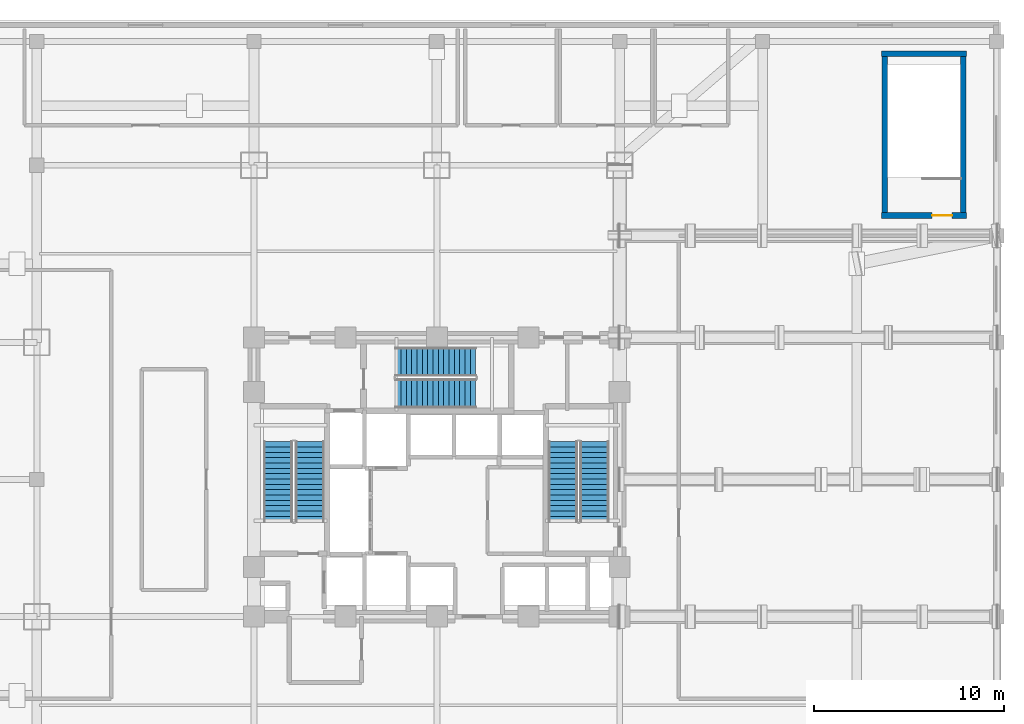
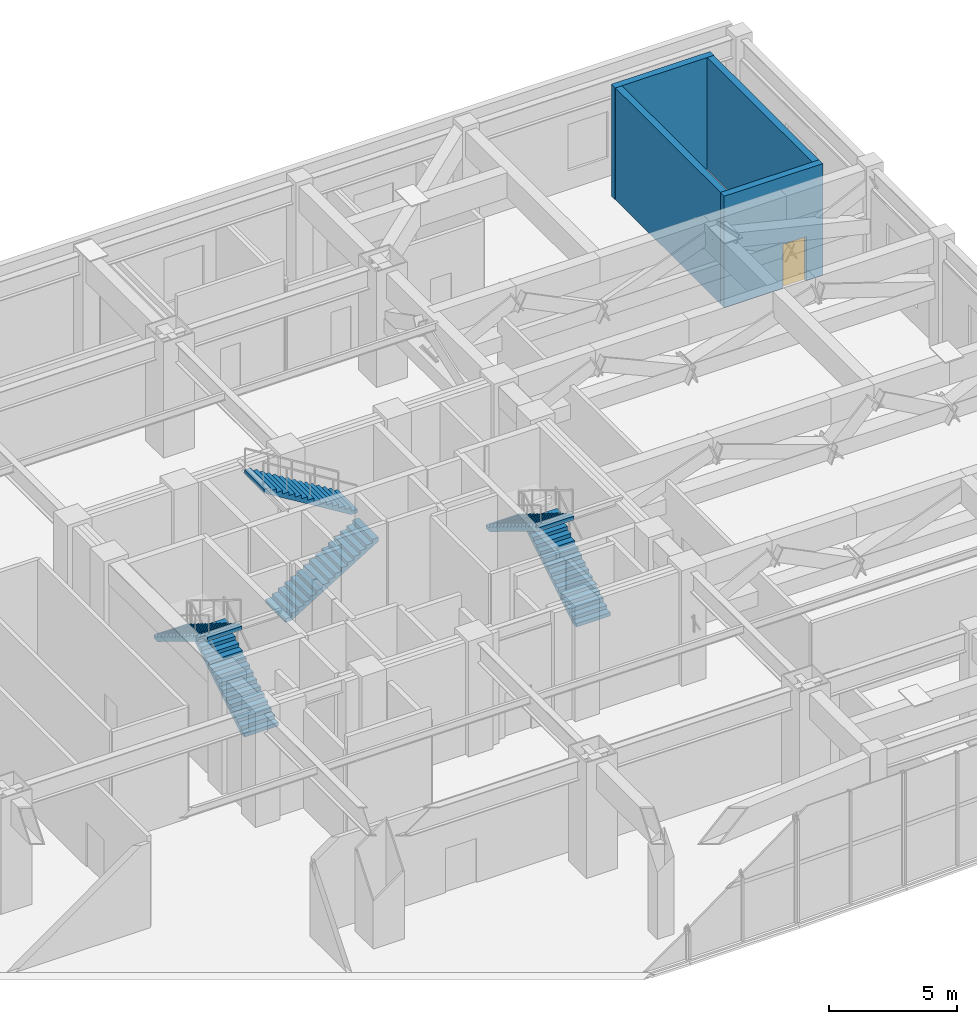
# One storey, part 15 of 19: 6 stair flights, 4 walls, 1 door, 1 opening, 3 elements without a shape of their own.
"""IFC4 building model written with IfcOpenShell, lengths in metres."""

from ifc_helpers import new_model, si_unit, direction, frame, frame_2d, origin, place, context, subcontext, project, spatial, polyline, rectangle, outline, extrude, material, layer, layer_set, type_object, element, fill, aggregate, save


model = new_model("IFC4")

# Units and contexts
model_context = context("Model", 3, precision=1e-05, world=origin(), true_north=direction((0.0, 1.0)))
body_context = subcontext(model_context, "Body", "Model", "MODEL_VIEW")
ifc_project = project(units=[si_unit("LENGTHUNIT", "METRE"), si_unit("AREAUNIT", "SQUARE_METRE"), si_unit("VOLUMEUNIT", "CUBIC_METRE"), si_unit("PLANEANGLEUNIT", "RADIAN"), si_unit("MASSUNIT", "GRAM", prefix="KILO")], contexts=[model_context])

# Site, building, storey
site_placement = place(None, origin())
site = spatial("IfcSite", under=ifc_project, at=site_placement, CompositionType="ELEMENT")
building_placement = place(site_placement, origin())
building = spatial("IfcBuilding", under=site, at=building_placement, Name="Vantalir Tower", CompositionType="ELEMENT")
storey_placement = place(building_placement, frame((0.0, 0.0, 21.5)))
storey = spatial("IfcBuildingStorey", under=building, at=storey_placement, Name="L04", CompositionType="ELEMENT", Elevation=21.5)

# Wall, opening, door
ifc_material_1 = material(Name="Concrete C50/60", Category="concrete")
ifc_layer = layer(ifc_material_1, 0.300048828125)
ifc_layer_set = layer_set([ifc_layer], Name="Concrete C50/60")
wall_type = type_object("IfcWallType", Name="WL-STAIR-300", PredefinedType="SHEAR", material=ifc_layer_set)
wall_1_placement = place(storey_placement, frame((54.85009765625, 38.860107421875, 0.0), z_axis=(0.0, 0.0, 1.0), x_axis=(1.0, 0.0, 0.0)))
wall_1 = element("IfcWall", 1, at=wall_1_placement, inside=storey, type_object=wall_type, Name="L04 PST2 South Wall", PredefinedType="SHEAR", context=body_context, shape_type="SweptSolid", body=[
    extrude(rectangle(XDim=4.449951171875, YDim=0.300048828125, at=frame_2d((2.22509765625, 0.0))), origin(), (0.0, 0.0, 1.0), 5.320068359375),
])
opening_placement = place(wall_1_placement, frame((2.64990234375, 0.0, 0.0)))
opening = element("IfcOpeningElement", 2, at=opening_placement, cuts=wall_1, Name="Opening D-ST", PredefinedType="OPENING", context=body_context, shape_type="SweptSolid", body=[
    extrude(rectangle(XDim=1.050048828125, YDim=2.10009765625, at=frame_2d((0.52490234375, 1.050048828125))), frame((0.0, 0.159912109375, 0.0), z_axis=(0.0, -1.0, 0.0), x_axis=(1.0, 0.0, 0.0)), (0.0, 0.0, 1.0), 0.320068359375),
])
ifc_material_2 = material(Name="Fire-rated steel door leaf", Category="steel")
door_type = type_object("IfcDoorType", Name="DR-FIRE-STAIR-1050", OperationType="NOTDEFINED", PredefinedType="DOOR", material=ifc_material_2)
door_placement = place(opening_placement, origin())
door = element("IfcDoor", 3, at=door_placement, inside=storey, type_object=door_type, Name="L04 Podium Stair PST2 Fire Door", OperationType="SINGLE_SWING_LEFT", OverallHeight=2.10009765625, OverallWidth=1.050048828125, PredefinedType="DOOR", context=body_context, shape_type="SweptSolid", body=[
    extrude(rectangle(XDim=1.050048828125, YDim=2.10009765625, at=frame_2d((0.52490234375, 1.050048828125))), frame((0.0, 0.02490234375, 0.0), z_axis=(0.0, -1.0, 0.0), x_axis=(1.0, 0.0, 0.0)), (0.0, 0.0, 1.0), 0.050048828125),
])
fill(opening, door)

# Walls
wall_2_placement = place(storey_placement, frame((54.85009765625, 47.360107421875, 0.0), z_axis=(0.0, 0.0, 1.0), x_axis=(1.0, 0.0, 0.0)))
element("IfcWall", 4, at=wall_2_placement, inside=storey, type_object=wall_type, Name="L04 PST2 North Wall", PredefinedType="SHEAR", context=body_context, shape_type="SweptSolid", body=[
    extrude(rectangle(XDim=4.449951171875, YDim=0.300048828125, at=frame_2d((2.22509765625, 0.0))), origin(), (0.0, 0.0, 1.0), 5.320068359375),
])
for number, where, z_axis, x_axis, name in (
    (5, (55.010009765625, 38.860107421875, 0.0), (0.0, 0.0, 1.0), (0.0, 1.0, 0.0), "L04 PST2 West Wall"),
    (6, (59.139892578125, 38.860107421875, 0.0), (0.0, 0.0, 1.0), (0.0, 1.0, 0.0), "L04 PST2 East Wall"),
):
    element("IfcWall", number, at=place(storey_placement, frame(where, z_axis=z_axis, x_axis=x_axis)), inside=storey, type_object=wall_type, Name=name, PredefinedType="SHEAR", context=body_context, shape_type="SweptSolid", body=[
        extrude(rectangle(XDim=8.5, YDim=0.300048828125, at=frame_2d((4.25, 0.0))), origin(), (0.0, 0.0, 1.0), 5.320068359375),
    ])

# Stair, stair flights
ifc_material_3 = material(Name="Concrete C40/50", Category="concrete")
stair_type = type_object("IfcStairType", Name="STR-CORE-1450", PredefinedType="HALF_TURN_STAIR", material=ifc_material_3)
stair_1_placement = place(storey_placement, origin())
stair_1 = element("IfcStair", 7, at=stair_1_placement, inside=storey, type_object=stair_type, Name="L04 Core Exit Stair 1", PredefinedType="HALF_TURN_STAIR")
stair_flight_type = type_object("IfcStairFlightType", Name="FLT-CORE-1450", PredefinedType="STRAIGHT", material=ifc_material_3)
stair_flight_1_placement = place(storey_placement, frame((24.830078125, 22.7900390625, 0.0), z_axis=(0.0, 0.0, 1.0), x_axis=(0.0, 1.0, 0.0)))
stair_flight_1 = element("IfcStairFlight", 8, at=stair_flight_1_placement, type_object=stair_flight_type, Name="ST1 flight 1", NumberOfRisers=16, NumberOfTreads=15, PredefinedType="STRAIGHT", RiserHeight=0.171875, TreadLength=0.28, context=body_context, shape_type="SweptSolid", body=[
    extrude(outline(polyline([(0.0, 0.0), (0.0, 0.171875), (0.280029296875, 0.171875), (0.280029296875, 0.34375), (0.56005859375, 0.34375), (0.56005859375, 0.515625), (0.840087890625, 0.515625), (0.840087890625, 0.6875), (1.1201171875, 0.6875), (1.1201171875, 0.859375), (1.39990234375, 0.859375), (1.39990234375, 1.03125), (1.679931640625, 1.03125), (1.679931640625, 1.203125), (1.9599609375, 1.203125), (1.9599609375, 1.375), (2.239990234375, 1.375), (2.239990234375, 1.546875), (2.52001953125, 1.546875), (2.52001953125, 1.71875), (2.800048828125, 1.71875), (2.800048828125, 1.890625), (3.080078125, 1.890625), (3.080078125, 2.0625), (3.360107421875, 2.0625), (3.360107421875, 2.234375), (3.639892578125, 2.234375), (3.639892578125, 2.40625), (3.919921875, 2.40625), (3.919921875, 2.578125), (4.199951171875, 2.578125), (4.199951171875, 2.75), (4.199951171875, 2.40234375), (0.28662109375, 0.0), (0.0, 0.0)])), frame((0.0, 0.77001953125, 0.0), z_axis=(0.0, -1.0, 0.0), x_axis=(1.0, 0.0, 0.0)), (0.0, 0.0, 1.0), 1.5400390625),
])
stair_flight_2_placement = place(storey_placement, frame((23.169921875, 26.989990234375, 2.75), z_axis=(0.0, 0.0, 1.0), x_axis=(0.0, -1.0, 0.0)))
stair_flight_2 = element("IfcStairFlight", 9, at=stair_flight_2_placement, type_object=stair_flight_type, Name="ST1 flight 2", NumberOfRisers=16, NumberOfTreads=15, PredefinedType="STRAIGHT", RiserHeight=0.171875, TreadLength=0.28, context=body_context, shape_type="SweptSolid", body=[
    extrude(outline(polyline([(0.0, 0.0), (0.0, 0.171875), (0.280029296875, 0.171875), (0.280029296875, 0.34375), (0.56005859375, 0.34375), (0.56005859375, 0.515625), (0.840087890625, 0.515625), (0.840087890625, 0.6875), (1.1201171875, 0.6875), (1.1201171875, 0.859375), (1.39990234375, 0.859375), (1.39990234375, 1.03125), (1.679931640625, 1.03125), (1.679931640625, 1.203125), (1.9599609375, 1.203125), (1.9599609375, 1.375), (2.239990234375, 1.375), (2.239990234375, 1.546875), (2.52001953125, 1.546875), (2.52001953125, 1.71875), (2.800048828125, 1.71875), (2.800048828125, 1.890625), (3.080078125, 1.890625), (3.080078125, 2.0625), (3.360107421875, 2.0625), (3.360107421875, 2.234375), (3.639892578125, 2.234375), (3.639892578125, 2.40625), (3.919921875, 2.40625), (3.919921875, 2.578125), (4.199951171875, 2.578125), (4.199951171875, 2.75), (4.199951171875, 2.40234375), (0.28662109375, 0.0), (0.0, 0.0)])), frame((0.0, 0.77001953125, 0.0), z_axis=(0.0, -1.0, 0.0), x_axis=(1.0, 0.0, 0.0)), (0.0, 0.0, 1.0), 1.5400390625),
])
aggregate(stair_1, [stair_flight_1, stair_flight_2])

stair_2_placement = place(storey_placement, origin())
stair_2 = element("IfcStair", 10, at=stair_2_placement, inside=storey, type_object=stair_type, Name="L04 Core Exit Stair 2", PredefinedType="HALF_TURN_STAIR")
stair_flight_3_placement = place(storey_placement, frame((39.780029296875, 22.7900390625, 0.0), z_axis=(0.0, 0.0, 1.0), x_axis=(0.0, 1.0, 0.0)))
stair_flight_3 = element("IfcStairFlight", 11, at=stair_flight_3_placement, type_object=stair_flight_type, Name="ST2 flight 1", NumberOfRisers=16, NumberOfTreads=15, PredefinedType="STRAIGHT", RiserHeight=0.171875, TreadLength=0.28, context=body_context, shape_type="SweptSolid", body=[
    extrude(outline(polyline([(0.0, 0.0), (0.0, 0.171875), (0.280029296875, 0.171875), (0.280029296875, 0.34375), (0.56005859375, 0.34375), (0.56005859375, 0.515625), (0.840087890625, 0.515625), (0.840087890625, 0.6875), (1.1201171875, 0.6875), (1.1201171875, 0.859375), (1.39990234375, 0.859375), (1.39990234375, 1.03125), (1.679931640625, 1.03125), (1.679931640625, 1.203125), (1.9599609375, 1.203125), (1.9599609375, 1.375), (2.239990234375, 1.375), (2.239990234375, 1.546875), (2.52001953125, 1.546875), (2.52001953125, 1.71875), (2.800048828125, 1.71875), (2.800048828125, 1.890625), (3.080078125, 1.890625), (3.080078125, 2.0625), (3.360107421875, 2.0625), (3.360107421875, 2.234375), (3.639892578125, 2.234375), (3.639892578125, 2.40625), (3.919921875, 2.40625), (3.919921875, 2.578125), (4.199951171875, 2.578125), (4.199951171875, 2.75), (4.199951171875, 2.40234375), (0.28662109375, 0.0), (0.0, 0.0)])), frame((0.0, 0.77001953125, 0.0), z_axis=(0.0, -1.0, 0.0), x_axis=(1.0, 0.0, 0.0)), (0.0, 0.0, 1.0), 1.5400390625),
])
stair_flight_4_placement = place(storey_placement, frame((38.1201171875, 26.989990234375, 2.75), z_axis=(0.0, 0.0, 1.0), x_axis=(0.0, -1.0, 0.0)))
stair_flight_4 = element("IfcStairFlight", 12, at=stair_flight_4_placement, type_object=stair_flight_type, Name="ST2 flight 2", NumberOfRisers=16, NumberOfTreads=15, PredefinedType="STRAIGHT", RiserHeight=0.171875, TreadLength=0.28, context=body_context, shape_type="SweptSolid", body=[
    extrude(outline(polyline([(0.0, 0.0), (0.0, 0.171875), (0.280029296875, 0.171875), (0.280029296875, 0.34375), (0.56005859375, 0.34375), (0.56005859375, 0.515625), (0.840087890625, 0.515625), (0.840087890625, 0.6875), (1.1201171875, 0.6875), (1.1201171875, 0.859375), (1.39990234375, 0.859375), (1.39990234375, 1.03125), (1.679931640625, 1.03125), (1.679931640625, 1.203125), (1.9599609375, 1.203125), (1.9599609375, 1.375), (2.239990234375, 1.375), (2.239990234375, 1.546875), (2.52001953125, 1.546875), (2.52001953125, 1.71875), (2.800048828125, 1.71875), (2.800048828125, 1.890625), (3.080078125, 1.890625), (3.080078125, 2.0625), (3.360107421875, 2.0625), (3.360107421875, 2.234375), (3.639892578125, 2.234375), (3.639892578125, 2.40625), (3.919921875, 2.40625), (3.919921875, 2.578125), (4.199951171875, 2.578125), (4.199951171875, 2.75), (4.199951171875, 2.40234375), (0.28662109375, 0.0), (0.0, 0.0)])), frame((0.0, 0.77001953125, 0.0), z_axis=(0.0, -1.0, 0.0), x_axis=(1.0, 0.0, 0.0)), (0.0, 0.0, 1.0), 1.5400390625),
])
aggregate(stair_2, [stair_flight_3, stair_flight_4])

stair_3_placement = place(storey_placement, origin())
stair_3 = element("IfcStair", 13, at=stair_3_placement, inside=storey, type_object=stair_type, Name="L04 Core Exit Stair 3", PredefinedType="HALF_TURN_STAIR")
stair_flight_5_placement = place(storey_placement, frame((29.340087890625, 29.52001953125, 0.0), z_axis=(0.0, 0.0, 1.0), x_axis=(1.0, 0.0, 0.0)))
stair_flight_5 = element("IfcStairFlight", 14, at=stair_flight_5_placement, type_object=stair_flight_type, Name="ST3 flight 1", NumberOfRisers=16, NumberOfTreads=15, PredefinedType="STRAIGHT", RiserHeight=0.171875, TreadLength=0.28, context=body_context, shape_type="SweptSolid", body=[
    extrude(outline(polyline([(0.0, 0.0), (0.0, 0.171875), (0.280029296875, 0.171875), (0.280029296875, 0.34375), (0.56005859375, 0.34375), (0.56005859375, 0.515625), (0.840087890625, 0.515625), (0.840087890625, 0.6875), (1.1201171875, 0.6875), (1.1201171875, 0.859375), (1.39990234375, 0.859375), (1.39990234375, 1.03125), (1.679931640625, 1.03125), (1.679931640625, 1.203125), (1.9599609375, 1.203125), (1.9599609375, 1.375), (2.239990234375, 1.375), (2.239990234375, 1.546875), (2.52001953125, 1.546875), (2.52001953125, 1.71875), (2.800048828125, 1.71875), (2.800048828125, 1.890625), (3.080078125, 1.890625), (3.080078125, 2.0625), (3.360107421875, 2.0625), (3.360107421875, 2.234375), (3.639892578125, 2.234375), (3.639892578125, 2.40625), (3.919921875, 2.40625), (3.919921875, 2.578125), (4.199951171875, 2.578125), (4.199951171875, 2.75), (4.199951171875, 2.40234375), (0.28662109375, 0.0), (0.0, 0.0)])), frame((0.0, 0.77001953125, 0.0), z_axis=(0.0, -1.0, 0.0), x_axis=(1.0, 0.0, 0.0)), (0.0, 0.0, 1.0), 1.5400390625),
])
stair_flight_6_placement = place(storey_placement, frame((33.5400390625, 31.179931640625, 2.75), z_axis=(0.0, 0.0, 1.0), x_axis=(-1.0, 0.0, 0.0)))
stair_flight_6 = element("IfcStairFlight", 15, at=stair_flight_6_placement, type_object=stair_flight_type, Name="ST3 flight 2", NumberOfRisers=16, NumberOfTreads=15, PredefinedType="STRAIGHT", RiserHeight=0.171875, TreadLength=0.28, context=body_context, shape_type="SweptSolid", body=[
    extrude(outline(polyline([(0.0, 0.0), (0.0, 0.171875), (0.280029296875, 0.171875), (0.280029296875, 0.34375), (0.56005859375, 0.34375), (0.56005859375, 0.515625), (0.840087890625, 0.515625), (0.840087890625, 0.6875), (1.1201171875, 0.6875), (1.1201171875, 0.859375), (1.39990234375, 0.859375), (1.39990234375, 1.03125), (1.679931640625, 1.03125), (1.679931640625, 1.203125), (1.9599609375, 1.203125), (1.9599609375, 1.375), (2.239990234375, 1.375), (2.239990234375, 1.546875), (2.52001953125, 1.546875), (2.52001953125, 1.71875), (2.800048828125, 1.71875), (2.800048828125, 1.890625), (3.080078125, 1.890625), (3.080078125, 2.0625), (3.360107421875, 2.0625), (3.360107421875, 2.234375), (3.639892578125, 2.234375), (3.639892578125, 2.40625), (3.919921875, 2.40625), (3.919921875, 2.578125), (4.199951171875, 2.578125), (4.199951171875, 2.75), (4.199951171875, 2.40234375), (0.28662109375, 0.0), (0.0, 0.0)])), frame((0.0, 0.77001953125, 0.0), z_axis=(0.0, -1.0, 0.0), x_axis=(1.0, 0.0, 0.0)), (0.0, 0.0, 1.0), 1.5400390625),
])
aggregate(stair_3, [stair_flight_5, stair_flight_6])

save(model, "model.ifc")
